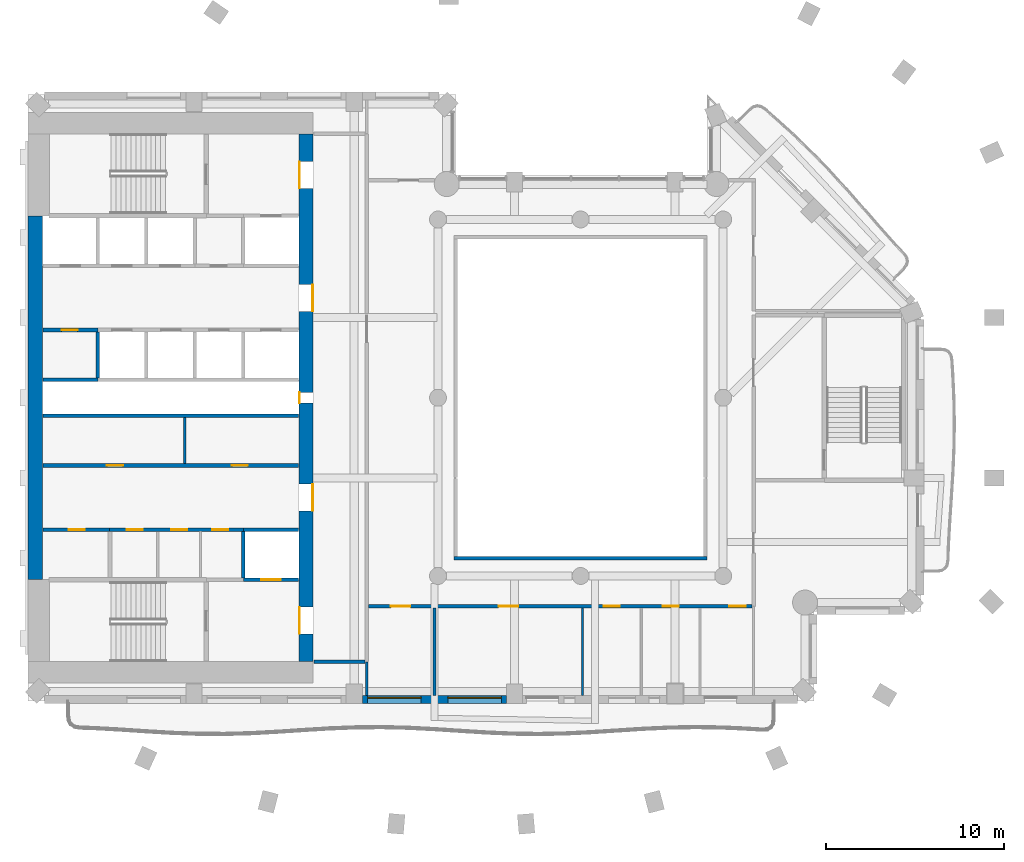
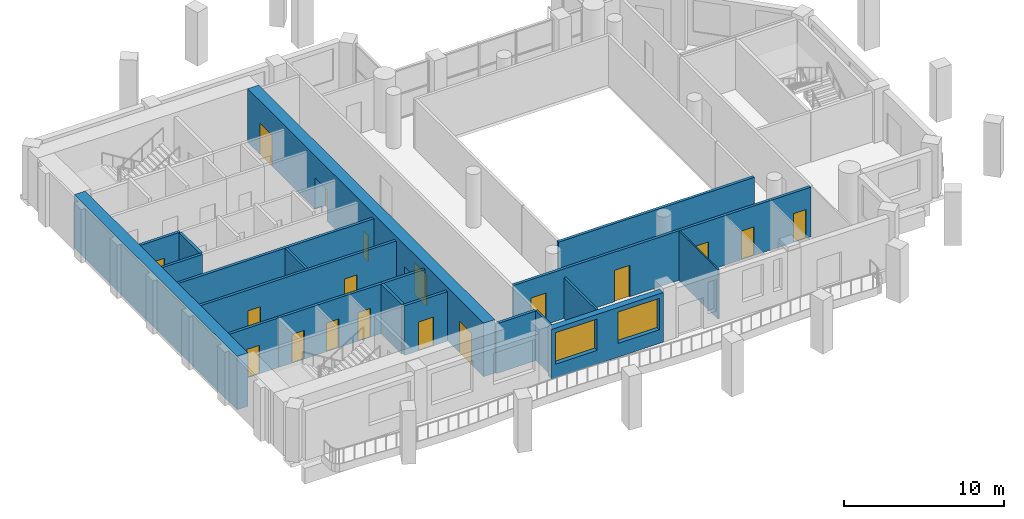
# One storey, part 4 of 13: 20 walls, 18 doors, 2 windows, 20 openings.
"""IFC4 building model written with IfcOpenShell, lengths in metres."""

from ifc_helpers import new_model, si_unit, direction, frame, frame_2d, origin, place, context, subcontext, project, spatial, rectangle, extrude, material, layer, layer_set, type_object, element, fill, save


model = new_model("IFC4")

# Units and contexts
model_context = context("Model", 3, precision=1e-05, world=origin(), true_north=direction((0.0, 1.0)))
body_context = subcontext(model_context, "Body", "Model", "MODEL_VIEW")
ifc_project = project(units=[si_unit("LENGTHUNIT", "METRE"), si_unit("AREAUNIT", "SQUARE_METRE"), si_unit("VOLUMEUNIT", "CUBIC_METRE"), si_unit("PLANEANGLEUNIT", "RADIAN"), si_unit("MASSUNIT", "GRAM", prefix="KILO")], contexts=[model_context])

# Site, building, storey
site_placement = place(None, origin())
site = spatial("IfcSite", under=ifc_project, at=site_placement, CompositionType="ELEMENT")
building_placement = place(site_placement, origin())
building = spatial("IfcBuilding", under=site, at=building_placement, Name="Cypress Arch Tower", CompositionType="ELEMENT")
storey_placement = place(building_placement, frame((0.0, 0.0, 209.699951171875)))
storey = spatial("IfcBuildingStorey", under=building, at=storey_placement, Name="L46", CompositionType="ELEMENT", Elevation=209.699951171875)

# Wall, openings, windows
ifc_material_1 = material(Name="Brick (red buff blend)", Category="masonry")
ifc_layer_1 = layer(ifc_material_1, 0.449951171875)
ifc_layer_set_1 = layer_set([ifc_layer_1], Name="Brick pier and spandrel wall BW450")
wall_type_1 = type_object("IfcWallType", Name="Brick pier and spandrel wall BW450", PredefinedType="SOLIDWALL", material=ifc_layer_set_1)
wall_1_placement = place(storey_placement, frame((-11.25, -16.925048828125, 0.0), z_axis=(0.0, 0.0, 1.0), x_axis=(1.0, 0.0, 0.0)))
wall_1 = element("IfcWall", 1, at=wall_1_placement, inside=storey, type_object=wall_type_1, Name="Brick wall L46 B01.2", PredefinedType="SOLIDWALL", context=body_context, shape_type="SweptSolid", body=[
    extrude(rectangle(XDim=8.10009765625, YDim=0.449951171875, at=frame_2d((4.050048828125, 0.0))), origin(), (0.0, 0.0, 1.0), 3.800048828125),
])
opening_1_placement = place(wall_1_placement, frame((0.300048828125, 0.0, 1.050048828125)))
opening_1 = element("IfcOpeningElement", 2, at=opening_1_placement, cuts=wall_1, Name="Opening W300OD", PredefinedType="OPENING", context=body_context, shape_type="SweptSolid", body=[
    extrude(rectangle(XDim=3.0, YDim=2.39990234375, at=frame_2d((1.5, 1.199951171875))), frame((0.0, 0.23486328125, 0.0), z_axis=(0.0, -1.0, 0.0), x_axis=(1.0, 0.0, 0.0)), (0.0, 0.0, 1.0), 0.469970703125),
])
opening_2_placement = place(wall_1_placement, frame((4.800048828125, 0.0, 1.050048828125)))
opening_2 = element("IfcOpeningElement", 3, at=opening_2_placement, cuts=wall_1, Name="Opening W300OD", PredefinedType="OPENING", context=body_context, shape_type="SweptSolid", body=[
    extrude(rectangle(XDim=3.0, YDim=2.39990234375, at=frame_2d((1.5, 1.199951171875))), frame((0.0, 0.23486328125, 0.0), z_axis=(0.0, -1.0, 0.0), x_axis=(1.0, 0.0, 0.0)), (0.0, 0.0, 1.0), 0.469970703125),
])
ifc_material_2 = material(Name="Anodised aluminium, bronze finish, laminated low-emissivity double glazing, large-missile impact rated", Category="aluminium")
window_type = type_object("IfcWindowType", Name="Window Office 3000x2400 debris-rated", PartitioningType="SINGLE_PANEL", PredefinedType="WINDOW", material=ifc_material_2)
window_1_placement = place(opening_1_placement, origin())
window_1 = element("IfcWindow", 4, at=window_1_placement, inside=storey, type_object=window_type, Name="Window L46 B01.2.1", OverallHeight=2.39990234375, OverallWidth=3.0, PartitioningType="SINGLE_PANEL", PredefinedType="WINDOW", context=body_context, shape_type="SweptSolid", body=[
    extrude(rectangle(XDim=3.0, YDim=2.39990234375, at=frame_2d((1.5, 1.199951171875))), frame((0.0, 0.135009765625, 0.0), z_axis=(0.0, -1.0, 0.0), x_axis=(1.0, 0.0, 0.0)), (0.0, 0.0, 1.0), 0.06005859375),
])
fill(opening_1, window_1)
window_2_placement = place(opening_2_placement, origin())
window_2 = element("IfcWindow", 5, at=window_2_placement, inside=storey, type_object=window_type, Name="Window L46 B01.2.2", OverallHeight=2.39990234375, OverallWidth=3.0, PartitioningType="SINGLE_PANEL", PredefinedType="WINDOW", context=body_context, shape_type="SweptSolid", body=[
    extrude(rectangle(XDim=3.0, YDim=2.39990234375, at=frame_2d((1.5, 1.199951171875))), frame((0.0, 0.135009765625, 0.0), z_axis=(0.0, -1.0, 0.0), x_axis=(1.0, 0.0, 0.0)), (0.0, 0.0, 1.0), 0.06005859375),
])
fill(opening_2, window_2)

# Wall, openings, doors
ifc_material_3 = material(Name="Concrete C70/85", Category="concrete")
ifc_layer_2 = layer(ifc_material_3, 0.800048828125)
ifc_layer_set_2 = layer_set([ifc_layer_2], Name="Core wall CW800 C70/85")
wall_type_2 = type_object("IfcWallType", Name="Core wall CW800 C70/85", PredefinedType="SHEAR", material=ifc_layer_set_2)
wall_2_placement = place(storey_placement, frame((-14.39990234375, -14.800048828125, 0.0), z_axis=(0.0, 0.0, 1.0), x_axis=(0.0, 1.0, 0.0)))
wall_2 = element("IfcWall", 6, at=wall_2_placement, inside=storey, type_object=wall_type_2, Name="Core wall", PredefinedType="SHEAR", context=body_context, shape_type="SweptSolid", body=[
    extrude(rectangle(XDim=29.60009765625, YDim=0.800048828125, at=frame_2d((14.800048828125, 0.0))), origin(), (0.0, 0.0, 1.0), 4.10009765625),
])
opening_3_placement = place(wall_2_placement, frame((1.550048828125, 0.0, 0.0)))
opening_3 = element("IfcOpeningElement", 7, at=opening_3_placement, cuts=wall_2, Name="Opening D07", PredefinedType="OPENING", context=body_context, shape_type="SweptSolid", body=[
    extrude(rectangle(XDim=1.5, YDim=2.39990234375, at=frame_2d((0.75, 1.199951171875))), frame((0.0, 0.409912109375, 0.0), z_axis=(0.0, -1.0, 0.0), x_axis=(1.0, 0.0, 0.0)), (0.0, 0.0, 1.0), 0.820068359375),
])
opening_4_placement = place(wall_2_placement, frame((26.550048828125, 0.0, 0.0)))
opening_4 = element("IfcOpeningElement", 8, at=opening_4_placement, cuts=wall_2, Name="Opening D07", PredefinedType="OPENING", context=body_context, shape_type="SweptSolid", body=[
    extrude(rectangle(XDim=1.5, YDim=2.39990234375, at=frame_2d((0.75, 1.199951171875))), frame((0.0, 0.409912109375, 0.0), z_axis=(0.0, -1.0, 0.0), x_axis=(1.0, 0.0, 0.0)), (0.0, 0.0, 1.0), 0.820068359375),
])
opening_5_placement = place(wall_2_placement, frame((8.449951171875, 0.0, 0.0)))
opening_5 = element("IfcOpeningElement", 9, at=opening_5_placement, cuts=wall_2, Name="Opening D07", PredefinedType="OPENING", context=body_context, shape_type="SweptSolid", body=[
    extrude(rectangle(XDim=1.5, YDim=2.39990234375, at=frame_2d((0.75, 1.199951171875))), frame((0.0, 0.409912109375, 0.0), z_axis=(0.0, -1.0, 0.0), x_axis=(1.0, 0.0, 0.0)), (0.0, 0.0, 1.0), 0.820068359375),
])
opening_6_placement = place(wall_2_placement, frame((19.64990234375, 0.0, 0.0)))
opening_6 = element("IfcOpeningElement", 10, at=opening_6_placement, cuts=wall_2, Name="Opening D07", PredefinedType="OPENING", context=body_context, shape_type="SweptSolid", body=[
    extrude(rectangle(XDim=1.5, YDim=2.39990234375, at=frame_2d((0.75, 1.199951171875))), frame((0.0, 0.409912109375, 0.0), z_axis=(0.0, -1.0, 0.0), x_axis=(1.0, 0.0, 0.0)), (0.0, 0.0, 1.0), 0.820068359375),
])
opening_7_placement = place(wall_2_placement, frame((14.5, 0.0, 0.0)))
opening_7 = element("IfcOpeningElement", 11, at=opening_7_placement, cuts=wall_2, Name="Opening D08", PredefinedType="OPENING", context=body_context, shape_type="SweptSolid", body=[
    extrude(rectangle(XDim=0.60009765625, YDim=2.0, at=frame_2d((0.300048828125, 1.0))), frame((0.0, 0.409912109375, 0.0), z_axis=(0.0, -1.0, 0.0), x_axis=(1.0, 0.0, 0.0)), (0.0, 0.0, 1.0), 0.820068359375),
])
ifc_material_4 = material(Name="Steel framed glazed door, fire resisting", Category="steel")
door_type_1 = type_object("IfcDoorType", Name="Lobby door D07 1500x2400", OperationType="DOUBLE_DOOR_SINGLE_SWING", PredefinedType="DOOR", material=ifc_material_4)
door_1_placement = place(opening_3_placement, origin())
door_1 = element("IfcDoor", 12, at=door_1_placement, inside=storey, type_object=door_type_1, Name="Lobby door", OperationType="DOUBLE_DOOR_SINGLE_SWING", OverallHeight=2.39990234375, OverallWidth=1.5, PredefinedType="DOOR", context=body_context, shape_type="SweptSolid", body=[
    extrude(rectangle(XDim=1.5, YDim=2.39990234375, at=frame_2d((0.75, 1.199951171875))), frame((0.0, 0.39501953125, 0.0), z_axis=(0.0, -1.0, 0.0), x_axis=(1.0, 0.0, 0.0)), (0.0, 0.0, 1.0), 0.050048828125),
])
fill(opening_3, door_1)
door_2_placement = place(opening_4_placement, origin())
door_2 = element("IfcDoor", 13, at=door_2_placement, inside=storey, type_object=door_type_1, Name="Lobby door", OperationType="DOUBLE_DOOR_SINGLE_SWING", OverallHeight=2.39990234375, OverallWidth=1.5, PredefinedType="DOOR", context=body_context, shape_type="SweptSolid", body=[
    extrude(rectangle(XDim=1.5, YDim=2.39990234375, at=frame_2d((0.75, 1.199951171875))), frame((0.0, 0.39501953125, 0.0), z_axis=(0.0, -1.0, 0.0), x_axis=(1.0, 0.0, 0.0)), (0.0, 0.0, 1.0), 0.050048828125),
])
fill(opening_4, door_2)
door_3_placement = place(opening_5_placement, origin())
door_3 = element("IfcDoor", 14, at=door_3_placement, inside=storey, type_object=door_type_1, Name="Lobby door", OperationType="DOUBLE_DOOR_SINGLE_SWING", OverallHeight=2.39990234375, OverallWidth=1.5, PredefinedType="DOOR", context=body_context, shape_type="SweptSolid", body=[
    extrude(rectangle(XDim=1.5, YDim=2.39990234375, at=frame_2d((0.75, 1.199951171875))), frame((0.0, -0.34521484375, 0.0), z_axis=(0.0, -1.0, 0.0), x_axis=(1.0, 0.0, 0.0)), (0.0, 0.0, 1.0), 0.050048828125),
])
fill(opening_5, door_3)
door_4_placement = place(opening_6_placement, origin())
door_4 = element("IfcDoor", 15, at=door_4_placement, inside=storey, type_object=door_type_1, Name="Lobby door", OperationType="DOUBLE_DOOR_SINGLE_SWING", OverallHeight=2.39990234375, OverallWidth=1.5, PredefinedType="DOOR", context=body_context, shape_type="SweptSolid", body=[
    extrude(rectangle(XDim=1.5, YDim=2.39990234375, at=frame_2d((0.75, 1.199951171875))), frame((0.0, -0.34521484375, 0.0), z_axis=(0.0, -1.0, 0.0), x_axis=(1.0, 0.0, 0.0)), (0.0, 0.0, 1.0), 0.050048828125),
])
fill(opening_6, door_4)
ifc_material_5 = material(Name="Steel access door, fire resisting", Category="steel")
door_type_2 = type_object("IfcDoorType", Name="Riser access door D08 600x2000", OperationType="SINGLE_SWING_LEFT", PredefinedType="DOOR", material=ifc_material_5)
door_5_placement = place(opening_7_placement, origin())
door_5 = element("IfcDoor", 16, at=door_5_placement, inside=storey, type_object=door_type_2, Name="Riser access door", OperationType="SINGLE_SWING_RIGHT", OverallHeight=2.0, OverallWidth=0.60009765625, PredefinedType="DOOR", context=body_context, shape_type="SweptSolid", body=[
    extrude(rectangle(XDim=0.60009765625, YDim=2.0, at=frame_2d((0.300048828125, 1.0))), frame((0.0, 0.39501953125, 0.0), z_axis=(0.0, -1.0, 0.0), x_axis=(1.0, 0.0, 0.0)), (0.0, 0.0, 1.0), 0.050048828125),
])
fill(opening_7, door_5)

# Wall
wall_3_placement = place(storey_placement, frame((-29.60009765625, -10.199951171875, 0.0), z_axis=(0.0, 0.0, 1.0), x_axis=(0.0, 1.0, 0.0)))
element("IfcWall", 17, at=wall_3_placement, inside=storey, type_object=wall_type_2, Name="Core wall", PredefinedType="SHEAR", context=body_context, shape_type="SweptSolid", body=[
    extrude(rectangle(XDim=20.39990234375, YDim=0.800048828125, at=frame_2d((10.199951171875, 0.0))), origin(), (0.0, 0.0, 1.0), 4.10009765625),
])

# Wall, openings, doors
ifc_material_6 = material(Name="Concrete blockwork, plastered, rated", Category="masonry")
ifc_layer_3 = layer(ifc_material_6, 0.199951171875)
ifc_layer_set_3 = layer_set([ifc_layer_3], Name="Corridor wall FW200")
wall_type_3 = type_object("IfcWallType", Name="Corridor wall FW200", PredefinedType="PARTITIONING", material=ifc_layer_set_3)
wall_4_placement = place(storey_placement, frame((-29.169921875, -3.800048828125, 0.0), z_axis=(0.0, 0.0, 1.0), x_axis=(1.0, 0.0, 0.0)))
wall_4 = element("IfcWall", 18, at=wall_4_placement, inside=storey, type_object=wall_type_3, Name="Corridor wall", PredefinedType="PARTITIONING", context=body_context, shape_type="SweptSolid", body=[
    extrude(rectangle(XDim=14.33984375, YDim=0.199951171875, at=frame_2d((7.169921875, 0.0))), origin(), (0.0, 0.0, 1.0), 3.800048828125),
])
opening_8_placement = place(wall_4_placement, frame((3.60009765625, 0.0, 0.0)))
opening_8 = element("IfcOpeningElement", 19, at=opening_8_placement, cuts=wall_4, Name="Opening D05", PredefinedType="OPENING", context=body_context, shape_type="SweptSolid", body=[
    extrude(rectangle(XDim=0.89990234375, YDim=2.199951171875, at=frame_2d((0.449951171875, 1.10009765625))), frame((0.0, 0.10986328125, 0.0), z_axis=(0.0, -1.0, 0.0), x_axis=(1.0, 0.0, 0.0)), (0.0, 0.0, 1.0), 0.219970703125),
])
opening_9_placement = place(wall_4_placement, frame((10.60009765625, 0.0, 0.0)))
opening_9 = element("IfcOpeningElement", 20, at=opening_9_placement, cuts=wall_4, Name="Opening D05", PredefinedType="OPENING", context=body_context, shape_type="SweptSolid", body=[
    extrude(rectangle(XDim=0.89990234375, YDim=2.199951171875, at=frame_2d((0.449951171875, 1.10009765625))), frame((0.0, 0.10986328125, 0.0), z_axis=(0.0, -1.0, 0.0), x_axis=(1.0, 0.0, 0.0)), (0.0, 0.0, 1.0), 0.219970703125),
])
ifc_material_7 = material(Name="Timber flush door", Category="wood")
door_type_3 = type_object("IfcDoorType", Name="Service door D05 900x2200", OperationType="SINGLE_SWING_LEFT", PredefinedType="DOOR", material=ifc_material_7)
door_6_placement = place(opening_8_placement, origin())
door_6 = element("IfcDoor", 21, at=door_6_placement, inside=storey, type_object=door_type_3, Name="Service door", OperationType="SINGLE_SWING_LEFT", OverallHeight=2.199951171875, OverallWidth=0.89990234375, PredefinedType="DOOR", context=body_context, shape_type="SweptSolid", body=[
    extrude(rectangle(XDim=0.89990234375, YDim=2.199951171875, at=frame_2d((0.449951171875, 1.10009765625))), frame((0.0, 0.02490234375, 0.0), z_axis=(0.0, -1.0, 0.0), x_axis=(1.0, 0.0, 0.0)), (0.0, 0.0, 1.0), 0.050048828125),
])
fill(opening_8, door_6)
door_7_placement = place(opening_9_placement, origin())
door_7 = element("IfcDoor", 22, at=door_7_placement, inside=storey, type_object=door_type_3, Name="Service door", OperationType="SINGLE_SWING_LEFT", OverallHeight=2.199951171875, OverallWidth=0.89990234375, PredefinedType="DOOR", context=body_context, shape_type="SweptSolid", body=[
    extrude(rectangle(XDim=0.89990234375, YDim=2.199951171875, at=frame_2d((0.449951171875, 1.10009765625))), frame((0.0, 0.02490234375, 0.0), z_axis=(0.0, -1.0, 0.0), x_axis=(1.0, 0.0, 0.0)), (0.0, 0.0, 1.0), 0.050048828125),
])
fill(opening_9, door_7)

wall_5_placement = place(storey_placement, frame((-25.419921875, -7.39990234375, 0.0), z_axis=(0.0, 0.0, 1.0), x_axis=(1.0, 0.0, 0.0)))
wall_5 = element("IfcWall", 23, at=wall_5_placement, inside=storey, type_object=wall_type_3, Name="Corridor wall", PredefinedType="PARTITIONING", context=body_context, shape_type="SweptSolid", body=[
    extrude(rectangle(XDim=7.52001953125, YDim=0.199951171875, at=frame_2d((3.760009765625, 0.0))), origin(), (0.0, 0.0, 1.0), 3.800048828125),
])
opening_10_placement = place(wall_5_placement, frame((0.949951171875, 0.0, 0.0)))
opening_10 = element("IfcOpeningElement", 24, at=opening_10_placement, cuts=wall_5, Name="Opening D05", PredefinedType="OPENING", context=body_context, shape_type="SweptSolid", body=[
    extrude(rectangle(XDim=0.89990234375, YDim=2.199951171875, at=frame_2d((0.449951171875, 1.10009765625))), frame((0.0, 0.10986328125, 0.0), z_axis=(0.0, -1.0, 0.0), x_axis=(1.0, 0.0, 0.0)), (0.0, 0.0, 1.0), 0.219970703125),
])
opening_11_placement = place(wall_5_placement, frame((3.449951171875, 0.0, 0.0)))
opening_11 = element("IfcOpeningElement", 25, at=opening_11_placement, cuts=wall_5, Name="Opening D05", PredefinedType="OPENING", context=body_context, shape_type="SweptSolid", body=[
    extrude(rectangle(XDim=0.89990234375, YDim=2.199951171875, at=frame_2d((0.449951171875, 1.10009765625))), frame((0.0, 0.10986328125, 0.0), z_axis=(0.0, -1.0, 0.0), x_axis=(1.0, 0.0, 0.0)), (0.0, 0.0, 1.0), 0.219970703125),
])
opening_12_placement = place(wall_5_placement, frame((5.75, 0.0, 0.0)))
opening_12 = element("IfcOpeningElement", 26, at=opening_12_placement, cuts=wall_5, Name="Opening D05", PredefinedType="OPENING", context=body_context, shape_type="SweptSolid", body=[
    extrude(rectangle(XDim=0.89990234375, YDim=2.199951171875, at=frame_2d((0.449951171875, 1.10009765625))), frame((0.0, 0.10986328125, 0.0), z_axis=(0.0, -1.0, 0.0), x_axis=(1.0, 0.0, 0.0)), (0.0, 0.0, 1.0), 0.219970703125),
])
door_8_placement = place(opening_10_placement, origin())
door_8 = element("IfcDoor", 27, at=door_8_placement, inside=storey, type_object=door_type_3, Name="Service door", OperationType="SINGLE_SWING_LEFT", OverallHeight=2.199951171875, OverallWidth=0.89990234375, PredefinedType="DOOR", context=body_context, shape_type="SweptSolid", body=[
    extrude(rectangle(XDim=0.89990234375, YDim=2.199951171875, at=frame_2d((0.449951171875, 1.10009765625))), frame((0.0, 0.02490234375, 0.0), z_axis=(0.0, -1.0, 0.0), x_axis=(1.0, 0.0, 0.0)), (0.0, 0.0, 1.0), 0.050048828125),
])
fill(opening_10, door_8)
door_9_placement = place(opening_11_placement, origin())
door_9 = element("IfcDoor", 28, at=door_9_placement, inside=storey, type_object=door_type_3, Name="Service door", OperationType="SINGLE_SWING_RIGHT", OverallHeight=2.199951171875, OverallWidth=0.89990234375, PredefinedType="DOOR", context=body_context, shape_type="SweptSolid", body=[
    extrude(rectangle(XDim=0.89990234375, YDim=2.199951171875, at=frame_2d((0.449951171875, 1.10009765625))), frame((0.0, 0.02490234375, 0.0), z_axis=(0.0, -1.0, 0.0), x_axis=(1.0, 0.0, 0.0)), (0.0, 0.0, 1.0), 0.050048828125),
])
fill(opening_11, door_9)
door_10_placement = place(opening_12_placement, origin())
door_10 = element("IfcDoor", 29, at=door_10_placement, inside=storey, type_object=door_type_3, Name="Service door", OperationType="SINGLE_SWING_RIGHT", OverallHeight=2.199951171875, OverallWidth=0.89990234375, PredefinedType="DOOR", context=body_context, shape_type="SweptSolid", body=[
    extrude(rectangle(XDim=0.89990234375, YDim=2.199951171875, at=frame_2d((0.449951171875, 1.10009765625))), frame((0.0, 0.02490234375, 0.0), z_axis=(0.0, -1.0, 0.0), x_axis=(1.0, 0.0, 0.0)), (0.0, 0.0, 1.0), 0.050048828125),
])
fill(opening_12, door_10)

# Wall
wall_6_placement = place(storey_placement, frame((-13.969970703125, -14.800048828125, 0.0), z_axis=(0.0, 0.0, 1.0), x_axis=(1.0, 0.0, 0.0)))
element("IfcWall", 30, at=wall_6_placement, inside=storey, type_object=wall_type_3, Name="Corridor wall", PredefinedType="PARTITIONING", context=body_context, shape_type="SweptSolid", body=[
    extrude(rectangle(XDim=2.869873046875, YDim=0.199951171875, at=frame_2d((1.43505859375, 0.0))), origin(), (0.0, 0.0, 1.0), 3.800048828125),
])

# Wall, openings, doors
wall_7_placement = place(storey_placement, frame((-10.89990234375, -11.699951171875, 0.0), z_axis=(0.0, 0.0, 1.0), x_axis=(1.0, 0.0, 0.0)))
wall_7 = element("IfcWall", 31, at=wall_7_placement, inside=storey, type_object=wall_type_3, Name="Corridor wall", PredefinedType="PARTITIONING", context=body_context, shape_type="SweptSolid", body=[
    extrude(rectangle(XDim=21.5, YDim=0.199951171875, at=frame_2d((10.75, 0.0))), origin(), (0.0, 0.0, 1.0), 3.800048828125),
])
opening_13_placement = place(wall_7_placement, frame((13.199951171875, 0.0, 0.0)))
opening_13 = element("IfcOpeningElement", 32, at=opening_13_placement, cuts=wall_7, Name="Opening D03", PredefinedType="OPENING", context=body_context, shape_type="SweptSolid", body=[
    extrude(rectangle(XDim=0.89990234375, YDim=2.199951171875, at=frame_2d((0.449951171875, 1.10009765625))), frame((0.0, 0.10986328125, 0.0), z_axis=(0.0, -1.0, 0.0), x_axis=(1.0, 0.0, 0.0)), (0.0, 0.0, 1.0), 0.219970703125),
])
opening_14_placement = place(wall_7_placement, frame((16.5, 0.0, 0.0)))
opening_14 = element("IfcOpeningElement", 33, at=opening_14_placement, cuts=wall_7, Name="Opening D03", PredefinedType="OPENING", context=body_context, shape_type="SweptSolid", body=[
    extrude(rectangle(XDim=0.89990234375, YDim=2.199951171875, at=frame_2d((0.449951171875, 1.10009765625))), frame((0.0, 0.10986328125, 0.0), z_axis=(0.0, -1.0, 0.0), x_axis=(1.0, 0.0, 0.0)), (0.0, 0.0, 1.0), 0.219970703125),
])
opening_15_placement = place(wall_7_placement, frame((20.25, 0.0, 0.0)))
opening_15 = element("IfcOpeningElement", 34, at=opening_15_placement, cuts=wall_7, Name="Opening D03", PredefinedType="OPENING", context=body_context, shape_type="SweptSolid", body=[
    extrude(rectangle(XDim=0.89990234375, YDim=2.199951171875, at=frame_2d((0.449951171875, 1.10009765625))), frame((0.0, 0.10986328125, 0.0), z_axis=(0.0, -1.0, 0.0), x_axis=(1.0, 0.0, 0.0)), (0.0, 0.0, 1.0), 0.219970703125),
])
opening_16_placement = place(wall_7_placement, frame((1.25, 0.0, 0.0)))
opening_16 = element("IfcOpeningElement", 35, at=opening_16_placement, cuts=wall_7, Name="Opening D01", PredefinedType="OPENING", context=body_context, shape_type="SweptSolid", body=[
    extrude(rectangle(XDim=1.10009765625, YDim=2.39990234375, at=frame_2d((0.550048828125, 1.199951171875))), frame((0.0, 0.10986328125, 0.0), z_axis=(0.0, -1.0, 0.0), x_axis=(1.0, 0.0, 0.0)), (0.0, 0.0, 1.0), 0.219970703125),
])
opening_17_placement = place(wall_7_placement, frame((7.300048828125, 0.0, 0.0)))
opening_17 = element("IfcOpeningElement", 36, at=opening_17_placement, cuts=wall_7, Name="Opening D01", PredefinedType="OPENING", context=body_context, shape_type="SweptSolid", body=[
    extrude(rectangle(XDim=1.10009765625, YDim=2.39990234375, at=frame_2d((0.550048828125, 1.199951171875))), frame((0.0, 0.10986328125, 0.0), z_axis=(0.0, -1.0, 0.0), x_axis=(1.0, 0.0, 0.0)), (0.0, 0.0, 1.0), 0.219970703125),
])
ifc_material_8 = material(Name="Timber flush door, moisture resistant", Category="wood")
door_type_4 = type_object("IfcDoorType", Name="Bathroom door D03 900x2200", OperationType="SINGLE_SWING_LEFT", PredefinedType="DOOR", material=ifc_material_8)
door_11_placement = place(opening_13_placement, origin())
door_11 = element("IfcDoor", 37, at=door_11_placement, inside=storey, type_object=door_type_4, Name="Bathroom door", OperationType="SINGLE_SWING_LEFT", OverallHeight=2.199951171875, OverallWidth=0.89990234375, PredefinedType="DOOR", context=body_context, shape_type="SweptSolid", body=[
    extrude(rectangle(XDim=0.89990234375, YDim=2.199951171875, at=frame_2d((0.449951171875, 1.10009765625))), frame((0.0, 0.02490234375, 0.0), z_axis=(0.0, -1.0, 0.0), x_axis=(1.0, 0.0, 0.0)), (0.0, 0.0, 1.0), 0.050048828125),
])
fill(opening_13, door_11)
door_12_placement = place(opening_14_placement, origin())
door_12 = element("IfcDoor", 38, at=door_12_placement, inside=storey, type_object=door_type_4, Name="Bathroom door", OperationType="SINGLE_SWING_LEFT", OverallHeight=2.199951171875, OverallWidth=0.89990234375, PredefinedType="DOOR", context=body_context, shape_type="SweptSolid", body=[
    extrude(rectangle(XDim=0.89990234375, YDim=2.199951171875, at=frame_2d((0.449951171875, 1.10009765625))), frame((0.0, 0.02490234375, 0.0), z_axis=(0.0, -1.0, 0.0), x_axis=(1.0, 0.0, 0.0)), (0.0, 0.0, 1.0), 0.050048828125),
])
fill(opening_14, door_12)
door_13_placement = place(opening_15_placement, origin())
door_13 = element("IfcDoor", 39, at=door_13_placement, inside=storey, type_object=door_type_4, Name="Bathroom door", OperationType="SINGLE_SWING_LEFT", OverallHeight=2.199951171875, OverallWidth=0.89990234375, PredefinedType="DOOR", context=body_context, shape_type="SweptSolid", body=[
    extrude(rectangle(XDim=0.89990234375, YDim=2.199951171875, at=frame_2d((0.449951171875, 1.10009765625))), frame((0.0, 0.02490234375, 0.0), z_axis=(0.0, -1.0, 0.0), x_axis=(1.0, 0.0, 0.0)), (0.0, 0.0, 1.0), 0.050048828125),
])
fill(opening_15, door_13)
ifc_material_9 = material(Name="Timber flush door, fire resisting, self-closing", Category="wood")
door_type_5 = type_object("IfcDoorType", Name="Unit entrance door D01 1100x2400", OperationType="SINGLE_SWING_LEFT", PredefinedType="DOOR", material=ifc_material_9)
door_14_placement = place(opening_16_placement, origin())
door_14 = element("IfcDoor", 40, at=door_14_placement, inside=storey, type_object=door_type_5, Name="Unit entrance door", OperationType="SINGLE_SWING_RIGHT", OverallHeight=2.39990234375, OverallWidth=1.10009765625, PredefinedType="DOOR", context=body_context, shape_type="SweptSolid", body=[
    extrude(rectangle(XDim=1.10009765625, YDim=2.39990234375, at=frame_2d((0.550048828125, 1.199951171875))), frame((0.0, 0.02490234375, 0.0), z_axis=(0.0, -1.0, 0.0), x_axis=(1.0, 0.0, 0.0)), (0.0, 0.0, 1.0), 0.050048828125),
])
fill(opening_16, door_14)
door_15_placement = place(opening_17_placement, origin())
door_15 = element("IfcDoor", 41, at=door_15_placement, inside=storey, type_object=door_type_5, Name="Unit entrance door", OperationType="SINGLE_SWING_RIGHT", OverallHeight=2.39990234375, OverallWidth=1.10009765625, PredefinedType="DOOR", context=body_context, shape_type="SweptSolid", body=[
    extrude(rectangle(XDim=1.10009765625, YDim=2.39990234375, at=frame_2d((0.550048828125, 1.199951171875))), frame((0.0, 0.02490234375, 0.0), z_axis=(0.0, -1.0, 0.0), x_axis=(1.0, 0.0, 0.0)), (0.0, 0.0, 1.0), 0.050048828125),
])
fill(opening_17, door_15)

# Walls
wall_8_placement = place(storey_placement, frame((-6.10009765625, -9.0, 0.0), z_axis=(0.0, 0.0, 1.0), x_axis=(1.0, 0.0, 0.0)))
element("IfcWall", 42, at=wall_8_placement, inside=storey, type_object=wall_type_3, Name="Corridor wall", PredefinedType="PARTITIONING", context=body_context, shape_type="SweptSolid", body=[
    extrude(rectangle(XDim=14.2001953125, YDim=0.199951171875, at=frame_2d((7.10009765625, 0.0))), origin(), (0.0, 0.0, 1.0), 3.800048828125),
])
ifc_material_10 = material(Name="Blockwork, plastered both sides", Category="masonry")
ifc_layer_4 = layer(ifc_material_10, 0.14990234375)
ifc_layer_set_4 = layer_set([ifc_layer_4], Name="Partition PW150")
wall_type_4 = type_object("IfcWallType", Name="Partition PW150", PredefinedType="PARTITIONING", material=ifc_layer_set_4)
wall_9_placement = place(storey_placement, frame((-21.199951171875, -3.699951171875, 0.0), z_axis=(0.0, 0.0, 1.0), x_axis=(0.0, 1.0, 0.0)))
element("IfcWall", 43, at=wall_9_placement, inside=storey, type_object=wall_type_4, Name="Partition", PredefinedType="PARTITIONING", context=body_context, shape_type="SweptSolid", body=[
    extrude(rectangle(XDim=2.599853515625, YDim=0.14990234375, at=frame_2d((1.2998046875, 0.0))), origin(), (0.0, 0.0, 1.0), 3.800048828125),
])
wall_10_placement = place(storey_placement, frame((-11.0, -16.699951171875, 0.0), z_axis=(0.0, 0.0, 1.0), x_axis=(0.0, 1.0, 0.0)))
element("IfcWall", 44, at=wall_10_placement, inside=storey, type_object=wall_type_4, Name="Partition", PredefinedType="PARTITIONING", context=body_context, shape_type="SweptSolid", body=[
    extrude(rectangle(XDim=1.8798828125, YDim=0.14990234375, at=frame_2d((0.93994140625, 0.0))), origin(), (0.0, 0.0, 1.0), 3.800048828125),
])
wall_11_placement = place(storey_placement, frame((-7.199951171875, -16.699951171875, 0.0), z_axis=(0.0, 0.0, 1.0), x_axis=(0.0, 1.0, 0.0)))
element("IfcWall", 45, at=wall_11_placement, inside=storey, type_object=wall_type_4, Name="Partition", PredefinedType="PARTITIONING", context=body_context, shape_type="SweptSolid", body=[
    extrude(rectangle(XDim=4.89990234375, YDim=0.14990234375, at=frame_2d((2.449951171875, 0.0))), origin(), (0.0, 0.0, 1.0), 3.150146484375),
])

# Wall, opening, door
ifc_material_11 = material(Name="Reinforced blockwork, plastered, rated", Category="masonry")
ifc_layer_5 = layer(ifc_material_11, 0.199951171875)
ifc_layer_set_5 = layer_set([ifc_layer_5], Name="Plant and riser wall PL200")
wall_type_5 = type_object("IfcWallType", Name="Plant and riser wall PL200", PredefinedType="PARTITIONING", material=ifc_layer_set_5)
wall_12_placement = place(storey_placement, frame((-29.169921875, -7.39990234375, 0.0), z_axis=(0.0, 0.0, 1.0), x_axis=(1.0, 0.0, 0.0)))
wall_12 = element("IfcWall", 46, at=wall_12_placement, inside=storey, type_object=wall_type_5, Name="Plant and riser wall", PredefinedType="PARTITIONING", context=body_context, shape_type="SweptSolid", body=[
    extrude(rectangle(XDim=3.75, YDim=0.199951171875, at=frame_2d((1.875, 0.0))), origin(), (0.0, 0.0, 1.0), 3.800048828125),
])
opening_18_placement = place(wall_12_placement, frame((1.449951171875, 0.0, 0.0)))
opening_18 = element("IfcOpeningElement", 47, at=opening_18_placement, cuts=wall_12, Name="Opening D05", PredefinedType="OPENING", context=body_context, shape_type="SweptSolid", body=[
    extrude(rectangle(XDim=0.89990234375, YDim=2.199951171875, at=frame_2d((0.449951171875, 1.10009765625))), frame((0.0, 0.10986328125, 0.0), z_axis=(0.0, -1.0, 0.0), x_axis=(1.0, 0.0, 0.0)), (0.0, 0.0, 1.0), 0.219970703125),
])
door_16_placement = place(opening_18_placement, origin())
door_16 = element("IfcDoor", 48, at=door_16_placement, inside=storey, type_object=door_type_3, Name="Service door", OperationType="SINGLE_SWING_LEFT", OverallHeight=2.199951171875, OverallWidth=0.89990234375, PredefinedType="DOOR", context=body_context, shape_type="SweptSolid", body=[
    extrude(rectangle(XDim=0.89990234375, YDim=2.199951171875, at=frame_2d((0.449951171875, 1.10009765625))), frame((0.0, 0.02490234375, 0.0), z_axis=(0.0, -1.0, 0.0), x_axis=(1.0, 0.0, 0.0)), (0.0, 0.0, 1.0), 0.050048828125),
])
fill(opening_18, door_16)

# Walls
wall_13_placement = place(storey_placement, frame((-29.169921875, -1.0, 0.0), z_axis=(0.0, 0.0, 1.0), x_axis=(1.0, 0.0, 0.0)))
element("IfcWall", 49, at=wall_13_placement, inside=storey, type_object=wall_type_5, Name="Plant and riser wall", PredefinedType="PARTITIONING", context=body_context, shape_type="SweptSolid", body=[
    extrude(rectangle(XDim=14.33984375, YDim=0.199951171875, at=frame_2d((7.169921875, 0.0))), origin(), (0.0, 0.0, 1.0), 3.800048828125),
])
wall_14_placement = place(storey_placement, frame((-29.169921875, 1.0, 0.0), z_axis=(0.0, 0.0, 1.0), x_axis=(1.0, 0.0, 0.0)))
element("IfcWall", 50, at=wall_14_placement, inside=storey, type_object=wall_type_5, Name="Plant and riser wall", PredefinedType="PARTITIONING", context=body_context, shape_type="SweptSolid", body=[
    extrude(rectangle(XDim=3.08984375, YDim=0.199951171875, at=frame_2d((1.544921875, 0.0))), origin(), (0.0, 0.0, 1.0), 3.800048828125),
])

# Wall, opening, door
wall_15_placement = place(storey_placement, frame((-29.169921875, 3.800048828125, 0.0), z_axis=(0.0, 0.0, 1.0), x_axis=(1.0, 0.0, 0.0)))
wall_15 = element("IfcWall", 51, at=wall_15_placement, inside=storey, type_object=wall_type_5, Name="Plant and riser wall", PredefinedType="PARTITIONING", context=body_context, shape_type="SweptSolid", body=[
    extrude(rectangle(XDim=3.08984375, YDim=0.199951171875, at=frame_2d((1.544921875, 0.0))), origin(), (0.0, 0.0, 1.0), 3.800048828125),
])
opening_19_placement = place(wall_15_placement, frame((1.050048828125, 0.0, 0.0)))
opening_19 = element("IfcOpeningElement", 52, at=opening_19_placement, cuts=wall_15, Name="Opening D05", PredefinedType="OPENING", context=body_context, shape_type="SweptSolid", body=[
    extrude(rectangle(XDim=0.89990234375, YDim=2.199951171875, at=frame_2d((0.449951171875, 1.10009765625))), frame((0.0, 0.10986328125, 0.0), z_axis=(0.0, -1.0, 0.0), x_axis=(1.0, 0.0, 0.0)), (0.0, 0.0, 1.0), 0.219970703125),
])
door_17_placement = place(opening_19_placement, origin())
door_17 = element("IfcDoor", 53, at=door_17_placement, inside=storey, type_object=door_type_3, Name="Service door", OperationType="SINGLE_SWING_LEFT", OverallHeight=2.199951171875, OverallWidth=0.89990234375, PredefinedType="DOOR", context=body_context, shape_type="SweptSolid", body=[
    extrude(rectangle(XDim=0.89990234375, YDim=2.199951171875, at=frame_2d((0.449951171875, 1.10009765625))), frame((0.0, 0.02490234375, 0.0), z_axis=(0.0, -1.0, 0.0), x_axis=(1.0, 0.0, 0.0)), (0.0, 0.0, 1.0), 0.050048828125),
])
fill(opening_19, door_17)

# Walls
ifc_material_12 = material(Name="Concrete C50/60", Category="concrete")
ifc_layer_6 = layer(ifc_material_12, 0.199951171875)
ifc_layer_set_6 = layer_set([ifc_layer_6], Name="Shaft wall SH200")
wall_type_6 = type_object("IfcWallType", Name="Shaft wall SH200", PredefinedType="SHEAR", material=ifc_layer_set_6)
wall_16_placement = place(storey_placement, frame((-26.080078125, 1.10009765625, 0.0), z_axis=(0.0, 0.0, 1.0), x_axis=(0.0, 1.0, 0.0)))
element("IfcWall", 54, at=wall_16_placement, inside=storey, type_object=wall_type_6, Name="Shaft wall", PredefinedType="SHEAR", context=body_context, shape_type="SweptSolid", body=[
    extrude(rectangle(XDim=2.599853515625, YDim=0.199951171875, at=frame_2d((1.2998046875, 0.0))), origin(), (0.0, 0.0, 1.0), 3.800048828125),
])
wall_17_placement = place(storey_placement, frame((-17.919921875, -10.10009765625, 0.0), z_axis=(0.0, 0.0, 1.0), x_axis=(0.0, 1.0, 0.0)))
element("IfcWall", 55, at=wall_17_placement, inside=storey, type_object=wall_type_6, Name="Shaft wall", PredefinedType="SHEAR", context=body_context, shape_type="SweptSolid", body=[
    extrude(rectangle(XDim=2.60009765625, YDim=0.199951171875, at=frame_2d((1.300048828125, 0.0))), origin(), (0.0, 0.0, 1.0), 3.800048828125),
])

# Wall, opening, door
wall_18_placement = place(storey_placement, frame((-17.919921875, -10.199951171875, 0.0), z_axis=(0.0, 0.0, 1.0), x_axis=(1.0, 0.0, 0.0)))
wall_18 = element("IfcWall", 56, at=wall_18_placement, inside=storey, type_object=wall_type_6, Name="Shaft wall", PredefinedType="SHEAR", context=body_context, shape_type="SweptSolid", body=[
    extrude(rectangle(XDim=3.08984375, YDim=0.199951171875, at=frame_2d((1.544921875, 0.0))), origin(), (0.0, 0.0, 1.0), 3.800048828125),
])
opening_20_placement = place(wall_18_placement, frame((1.0, 0.0, 0.0)))
opening_20 = element("IfcOpeningElement", 57, at=opening_20_placement, cuts=wall_18, Name="Opening LD-FL1", PredefinedType="OPENING", context=body_context, shape_type="SweptSolid", body=[
    extrude(rectangle(XDim=1.10009765625, YDim=2.199951171875, at=frame_2d((0.550048828125, 1.10009765625))), frame((0.0, 0.10986328125, 0.0), z_axis=(0.0, -1.0, 0.0), x_axis=(1.0, 0.0, 0.0)), (0.0, 0.0, 1.0), 0.219970703125),
])
ifc_material_13 = material(Name="Stainless steel centre-opening landing door, rated", Category="steel")
door_type_6 = type_object("IfcDoorType", Name="Lift landing door LD 1100x2200", OperationType="DOUBLE_DOOR_SLIDING", PredefinedType="DOOR", material=ifc_material_13)
door_18_placement = place(opening_20_placement, origin())
door_18 = element("IfcDoor", 58, at=door_18_placement, inside=storey, type_object=door_type_6, Name="Lift landing doors FL1", OperationType="DOUBLE_DOOR_SLIDING", OverallHeight=2.199951171875, OverallWidth=1.10009765625, PredefinedType="DOOR", context=body_context, shape_type="SweptSolid", body=[
    extrude(rectangle(XDim=1.10009765625, YDim=2.199951171875, at=frame_2d((0.550048828125, 1.10009765625))), frame((0.0, 0.02490234375, 0.0), z_axis=(0.0, -1.0, 0.0), x_axis=(1.0, 0.0, 0.0)), (0.0, 0.0, 1.0), 0.050048828125),
])
fill(opening_20, door_18)

# Walls
wall_19_placement = place(storey_placement, frame((-17.89990234375, -7.39990234375, 0.0), z_axis=(0.0, 0.0, 1.0), x_axis=(1.0, 0.0, 0.0)))
element("IfcWall", 59, at=wall_19_placement, inside=storey, type_object=wall_type_6, Name="Shaft wall", PredefinedType="SHEAR", context=body_context, shape_type="SweptSolid", body=[
    extrude(rectangle(XDim=3.06982421875, YDim=0.199951171875, at=frame_2d((1.534912109375, 0.0))), origin(), (0.0, 0.0, 1.0), 3.800048828125),
])
ifc_material_14 = material(Name="Moisture resistant board on steel studs, tiled", Category="steel")
ifc_layer_7 = layer(ifc_material_14, 0.10009765625)
ifc_layer_set_7 = layer_set([ifc_layer_7], Name="Wet wall PW100")
wall_type_7 = type_object("IfcWallType", Name="Wet wall PW100", PredefinedType="PARTITIONING", material=ifc_layer_set_7)
wall_20_placement = place(storey_placement, frame((1.10009765625, -16.699951171875, 0.0), z_axis=(0.0, 0.0, 1.0), x_axis=(0.0, 1.0, 0.0)))
element("IfcWall", 60, at=wall_20_placement, inside=storey, type_object=wall_type_7, Name="Wet wall", PredefinedType="PARTITIONING", context=body_context, shape_type="SweptSolid", body=[
    extrude(rectangle(XDim=4.89990234375, YDim=0.10009765625, at=frame_2d((2.449951171875, 0.0))), origin(), (0.0, 0.0, 1.0), 3.800048828125),
])

save(model, "model.ifc")
